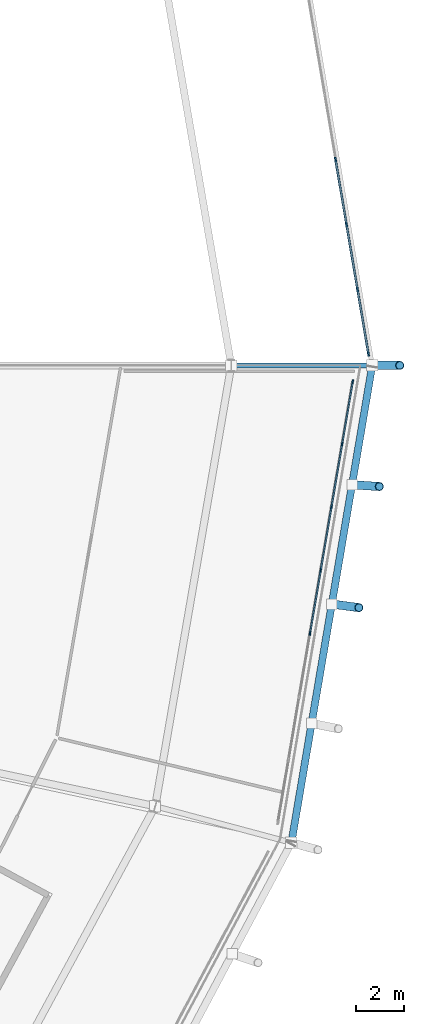
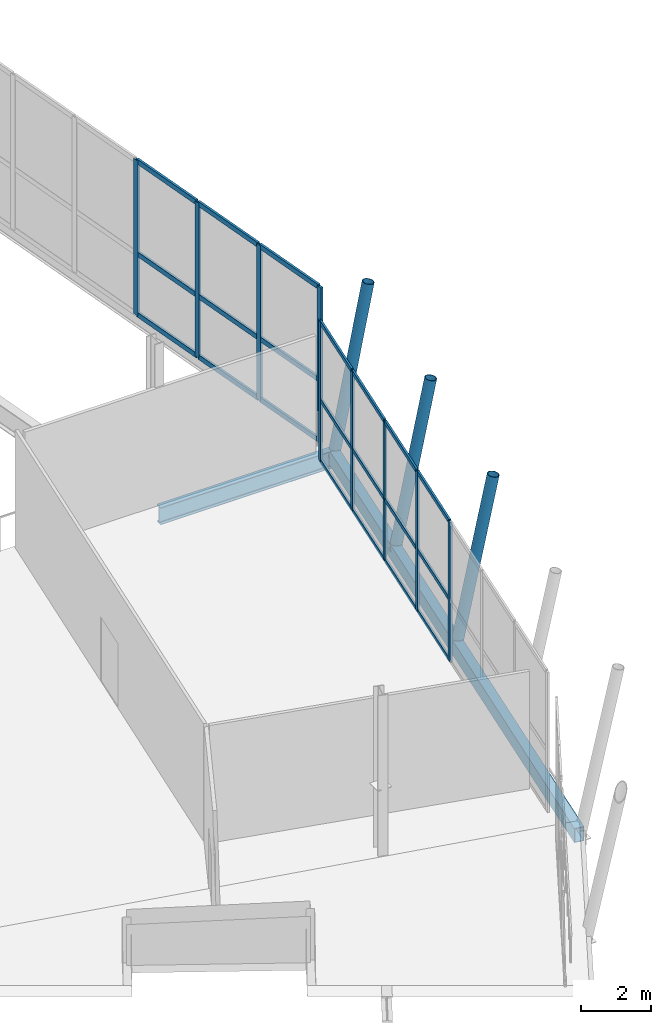
# One storey, part 42 of 99: 33 members, 2 beams, 2 elements without a shape of their own.
"""IFC4 building model written with IfcOpenShell, lengths in metres."""

import ifcopenshell
import ifcopenshell.guid

model = None  # the IFC model being written
_history = None  # IfcOwnerHistory: only IFC2X3 demands one
_inside = {}  # id of a spatial element -> (the spatial element, [elements in it])
_under = {}  # id of a project, library or spatial element -> (it, [spatial elements below it])
_declared = {}  # id of a project -> (the project, [libraries it declares])
_typed = {}  # id of a type object -> (the type object, [elements of that type])
_made_of = {}  # id of a material, layer set ... -> (it, [elements and type objects made of it])


def new_model(schema):
    """Start an empty IFC model of exactly this schema.

    Asked for "IFC4X3", IfcOpenShell would pick the latest addendum, in which some entities
    have other attributes; the version numbers below select the first issue.
    IFC2X3 requires an IfcOwnerHistory on every rooted entity: one is made here for all.
    """
    global model, _history
    if schema == "IFC4X3":
        model = ifcopenshell.file(schema_version=(4, 3, 0, 0))
    else:
        model = ifcopenshell.file(schema=schema)
    _inside.clear()
    _under.clear()
    _declared.clear()
    _typed.clear()
    _made_of.clear()
    _history = None
    if model.schema == "IFC2X3":
        org = make("IfcOrganization", Name="unknown")
        user = make(
            "IfcPersonAndOrganization",
            ThePerson=make("IfcPerson", FamilyName="unknown"),
            TheOrganization=org,
        )
        app = make(
            "IfcApplication",
            ApplicationDeveloper=org,
            Version="unknown",
            ApplicationFullName="unknown",
            ApplicationIdentifier="unknown",
        )
        _history = make(
            "IfcOwnerHistory",
            OwningUser=user,
            OwningApplication=app,
            ChangeAction="ADDED",
            CreationDate=0,
        )
    return model


def make(cls, **values):
    """One entity of the class cls with the attributes given. An attribute that is None is left unset."""
    return model.create_entity(
        cls, **{name: value for name, value in values.items() if value is not None}
    )


def rooted(cls, **values):
    """An entity with a GlobalId (a new one), such as an element, a storey or a relation."""
    return make(cls, GlobalId=ifcopenshell.guid.new(), OwnerHistory=_history, **values)


def si_unit(unit_type, name, prefix=None):
    """IfcSIUnit, for example si_unit("LENGTHUNIT", "METRE", prefix="MILLI")."""
    return make("IfcSIUnit", UnitType=unit_type, Prefix=prefix, Name=name)


def assignment(units):
    """IfcUnitAssignment: the units of a project."""
    return None if units is None else make("IfcUnitAssignment", Units=units)


def point(xyz):
    """IfcCartesianPoint."""
    return None if xyz is None else make("IfcCartesianPoint", Coordinates=xyz)


def direction(xyz):
    """IfcDirection."""
    return None if xyz is None else make("IfcDirection", DirectionRatios=xyz)


def frame(location, z_axis=None, x_axis=None):
    """IfcAxis2Placement3D, a coordinate frame: its origin and axes. An axis left out is left unset."""
    return make(
        "IfcAxis2Placement3D",
        Location=point(location),
        Axis=direction(z_axis),
        RefDirection=direction(x_axis),
    )


def frame_2d(location, x_axis=None):
    """IfcAxis2Placement2D, a coordinate frame in the plane: its origin and x axis."""
    return make(
        "IfcAxis2Placement2D", Location=point(location), RefDirection=direction(x_axis)
    )


def origin():
    """The frame at (0, 0, 0) with its axes left unset."""
    return frame((0.0, 0.0, 0.0))


def origin_2d():
    """The frame at (0, 0) in the plane with its x axis left unset."""
    return frame_2d((0.0, 0.0))


def place(relative_to, where):
    """IfcLocalPlacement: puts the frame where relative to a parent placement (None: the world)."""
    return make(
        "IfcLocalPlacement", PlacementRelTo=relative_to, RelativePlacement=where
    )


def context(
    kind, dimensions, precision=None, world=None, true_north=None, identifier=None
):
    """IfcGeometricRepresentationContext, for example the 3D "Model" context."""
    return make(
        "IfcGeometricRepresentationContext",
        ContextIdentifier=identifier,
        ContextType=kind,
        CoordinateSpaceDimension=dimensions,
        Precision=precision,
        WorldCoordinateSystem=world,
        TrueNorth=true_north,
    )


def subcontext(parent, identifier, kind, view, scale=None):
    """IfcGeometricRepresentationSubContext, for example "Body" below "Model"."""
    return make(
        "IfcGeometricRepresentationSubContext",
        ContextIdentifier=identifier,
        ContextType=kind,
        ParentContext=parent,
        TargetScale=scale,
        TargetView=view,
    )


def project(units=None, contexts=None):
    """IfcProject with its units and contexts."""
    return rooted(
        "IfcProject",
        Name="project",
        RepresentationContexts=contexts,
        UnitsInContext=assignment(units),
    )


def spatial(cls, under=None, at=None, **own):
    """A site, building, storey or space (cls), placed at a placement, below another one or the project."""
    s = rooted(cls, ObjectPlacement=at, **own)
    if under is not None:
        _under.setdefault(under.id(), (under, []))[1].append(s)
    return s


def profile(cls, at=None, kind="AREA", **sizes):
    """A parametric profile (cls). Its sizes go by their IFC names, for example OverallWidth=200.0."""
    return make(cls, ProfileType=kind, Position=at, **sizes)


def rectangle(**sizes):
    """IfcRectangleProfileDef."""
    return profile("IfcRectangleProfileDef", **sizes)


def hollow_rectangle(**sizes):
    """IfcRectangleHollowProfileDef."""
    return profile("IfcRectangleHollowProfileDef", **sizes)


def hollow_circle(**sizes):
    """IfcCircleHollowProfileDef."""
    return profile("IfcCircleHollowProfileDef", **sizes)


def i_section(**sizes):
    """IfcIShapeProfileDef."""
    return profile("IfcIShapeProfileDef", **sizes)


def extrude(swept, where, along, depth):
    """IfcExtrudedAreaSolid: the profile swept, set in the frame where, extruded along a direction by depth."""
    return make(
        "IfcExtrudedAreaSolid",
        SweptArea=swept,
        Position=where,
        ExtrudedDirection=direction(along),
        Depth=depth,
    )


def shape(context_of_items, identifier, shape_type, items):
    """IfcShapeRepresentation: the items that make up one representation, for example the "Body"."""
    return make(
        "IfcShapeRepresentation",
        ContextOfItems=context_of_items,
        RepresentationIdentifier=identifier,
        RepresentationType=shape_type,
        Items=items,
    )


def material(Name=None, Category=None):
    """IfcMaterial."""
    return make("IfcMaterial", Name=Name, Category=Category)


def material_profile(
    of_material, cross_section, Name=None, Category=None, Priority=None
):
    """IfcMaterialProfile: a cross section and its material."""
    return make(
        "IfcMaterialProfile",
        Name=Name,
        Material=of_material,
        Profile=cross_section,
        Priority=Priority,
        Category=Category,
    )


def profile_set(profiles, Name=None, composite=None):
    """IfcMaterialProfileSet."""
    return make(
        "IfcMaterialProfileSet",
        Name=Name,
        MaterialProfiles=profiles,
        CompositeProfile=composite,
    )


def made_of(thing, what):
    """Note that an element or type object is made of a material, layer set ...; save() writes the relation."""
    if what is not None:
        _made_of.setdefault(what.id(), (what, []))[1].append(thing)
    return thing


def type_object(cls, material=None, **own):
    """A type object (cls), such as IfcWallType, which elements share."""
    return made_of(rooted(cls, **own), material)


def element(
    cls,
    number,
    at=None,
    inside=None,
    cuts=None,
    type_object=None,
    material=None,
    context=None,
    identifier="Body",
    shape_type=None,
    held_by="IfcProductDefinitionShape",
    body=None,
    shapes=None,
    **own,
):
    """One element of the class cls, such as IfcWall. Its Tag is "e" and its number.

    at: its placement. inside: the storey or other place that contains it. cuts: it is an
    opening in that element (IfcRelVoidsElement). A single representation is given by context,
    identifier, shape_type and body (its items); several are given by shapes. held_by: the class
    of the entity that holds the representations. save() writes the other relations.
    """
    e = rooted(cls, Tag="e%d" % number, ObjectPlacement=at, **own)
    if body is not None:
        shapes = [shape(context, identifier, shape_type, body)]
    if shapes is not None:
        e.Representation = make(held_by, Representations=shapes)
    if inside is not None:
        _inside.setdefault(inside.id(), (inside, []))[1].append(e)
    if cuts is not None:
        rooted(
            "IfcRelVoidsElement", RelatingBuildingElement=cuts, RelatedOpeningElement=e
        )
    if type_object is not None:
        _typed.setdefault(type_object.id(), (type_object, []))[1].append(e)
    return made_of(e, material)


def aggregate(whole, parts):
    """IfcRelAggregates: a whole, such as a stair, and the parts it consists of."""
    return rooted("IfcRelAggregates", RelatingObject=whole, RelatedObjects=parts)


def save(model, path):
    """Write the relations noted so far, then the file.

    IfcRelAggregates (storeys below a building ...), IfcRelContainedInSpatialStructure (elements
    in a storey), IfcRelDefinesByType, IfcRelAssociatesMaterial and IfcRelDeclares: one each for
    every whole, place, type object, material and project.
    """
    for whole, parts in _under.values():
        aggregate(whole, parts)
    for where, things in _inside.values():
        rooted(
            "IfcRelContainedInSpatialStructure",
            RelatedElements=things,
            RelatingStructure=where,
        )
    for kind, things in _typed.values():
        rooted("IfcRelDefinesByType", RelatedObjects=things, RelatingType=kind)
    for what, things in _made_of.values():
        rooted("IfcRelAssociatesMaterial", RelatedObjects=things, RelatingMaterial=what)
    for by, libraries in _declared.values():
        rooted("IfcRelDeclares", RelatingContext=by, RelatedDefinitions=libraries)
    model.write(path)


model = new_model("IFC4")

# Units and contexts
model_context = context("Model", 3, precision=1e-05, world=origin(), true_north=direction((0.0, 1.0)))
body_context = subcontext(model_context, "Body", "Model", "MODEL_VIEW")
ifc_project = project(units=[si_unit("LENGTHUNIT", "METRE"), si_unit("AREAUNIT", "SQUARE_METRE"), si_unit("VOLUMEUNIT", "CUBIC_METRE"), si_unit("PLANEANGLEUNIT", "RADIAN"), si_unit("MASSUNIT", "GRAM", prefix="KILO")], contexts=[model_context])

# Site, building, storey
site_placement = place(None, origin())
site = spatial("IfcSite", under=ifc_project, at=site_placement, CompositionType="ELEMENT")
building_placement = place(site_placement, origin())
building = spatial("IfcBuilding", under=site, at=building_placement, Name="Zlatoyarsky Gate Stadium", CompositionType="ELEMENT")
storey_placement = place(building_placement, frame((0.0, 0.0, 26.199951171875)))
storey = spatial("IfcBuildingStorey", under=building, at=storey_placement, Name="L05", CompositionType="ELEMENT", Elevation=26.199951171875)

# Curtain wall, members
ifc_material_1 = material(Name="Thermally broken anodised aluminium curtain wall", Category="aluminium")
curtain_wall_type_1 = type_object("IfcCurtainWallType", Name="MONUMENTAL ARCHED GATE GLAZING UPPER", PredefinedType="USERDEFINED", material=ifc_material_1)
curtain_wall_1_placement = place(storey_placement, origin())
curtain_wall_1 = element("IfcCurtainWall", 1, at=curtain_wall_1_placement, inside=storey, type_object=curtain_wall_type_1, Name="Curtain wall CW-L05-00", ObjectType="ARCHED GATE GLAZING", PredefinedType="USERDEFINED")
ifc_material_2 = material(Name="Anodised aluminium 6063-T6", Category="aluminium")
ifc_material_profile_1 = material_profile(ifc_material_2, rectangle(XDim=0.074951171875, YDim=0.18994140625, at=origin_2d()), Name="ALU 75X190")
ifc_profile_set_1 = profile_set([ifc_material_profile_1], Name="Anodised aluminium 6063-T6")
member_type_1 = type_object("IfcMemberType", Name="ALUMINIUM GATE MULLION 75X190", PredefinedType="MULLION", material=ifc_profile_set_1)
member_1_placement = place(storey_placement, frame((209.716796875, 80.480712890625, -0.260009765625), z_axis=(0.0, 0.0, 1.0), x_axis=(-0.985957733522, -0.166995052945, 0.0)))
member_1 = element("IfcMember", 2, at=member_1_placement, type_object=member_type_1, Name="CW-AG2 mullion 1", PredefinedType="MULLION", context=body_context, shape_type="SweptSolid", body=[
    extrude(rectangle(XDim=0.074951171875, YDim=0.18994140625, at=origin_2d()), origin(), (0.0, 0.0, 1.0), 5.41015625),
])
member_2_placement = place(storey_placement, frame((209.263427734375, 83.156494140625, -0.260009765625), z_axis=(0.0, 0.0, 1.0), x_axis=(-0.985957733522, -0.166995052945, 0.0)))
member_2 = element("IfcMember", 3, at=member_2_placement, type_object=member_type_1, Name="CW-AG2 mullion 2", PredefinedType="MULLION", context=body_context, shape_type="SweptSolid", body=[
    extrude(rectangle(XDim=0.074951171875, YDim=0.18994140625, at=origin_2d()), origin(), (0.0, 0.0, 1.0), 5.41015625),
])
member_3_placement = place(storey_placement, frame((208.803955078125, 85.869140625, -0.260009765625), z_axis=(0.0, 0.0, 1.0), x_axis=(-0.985957733522, -0.166995052945, 0.0)))
member_3 = element("IfcMember", 4, at=member_3_placement, type_object=member_type_1, Name="CW-AG2 mullion 3", PredefinedType="MULLION", context=body_context, shape_type="SweptSolid", body=[
    extrude(rectangle(XDim=0.074951171875, YDim=0.18994140625, at=origin_2d()), origin(), (0.0, 0.0, 1.0), 5.41015625),
])
member_4_placement = place(storey_placement, frame((208.344482421875, 88.58203125, -0.260009765625), z_axis=(0.0, 0.0, 1.0), x_axis=(-0.985957733522, -0.166995052945, 0.0)))
member_4 = element("IfcMember", 5, at=member_4_placement, type_object=member_type_1, Name="CW-AG2 mullion 4", PredefinedType="MULLION", context=body_context, shape_type="SweptSolid", body=[
    extrude(rectangle(XDim=0.074951171875, YDim=0.18994140625, at=origin_2d()), origin(), (0.0, 0.0, 1.0), 5.41015625),
])
ifc_material_profile_2 = material_profile(ifc_material_2, rectangle(XDim=0.074951171875, YDim=0.169921875, at=origin_2d()), Name="ALU 75X170")
ifc_profile_set_2 = profile_set([ifc_material_profile_2], Name="Anodised aluminium 6063-T6")
member_type_2 = type_object("IfcMemberType", Name="ALUMINIUM GATE TRANSOM 75X170", PredefinedType="USERDEFINED", material=ifc_profile_set_2)
member_5_placement = place(storey_placement, frame((209.71044921875, 80.517578125, -0.222412109375), z_axis=(-0.166993906311, 0.985957927731, 0.0), x_axis=(-0.985957927731, -0.166993906311, 0.0)))
member_5 = element("IfcMember", 6, at=member_5_placement, type_object=member_type_2, Name="CW-AG2 transom 1.1", ObjectType="TRANSOM", PredefinedType="USERDEFINED", context=body_context, shape_type="SweptSolid", body=[
    extrude(rectangle(XDim=0.074951171875, YDim=0.169921875, at=origin_2d()), origin(), (0.0, 0.0, 1.0), 2.638916015625),
])
member_6_placement = place(storey_placement, frame((209.71044921875, 80.517578125, 1.89013671875), z_axis=(-0.166993906311, 0.985957927731, 0.0), x_axis=(-0.985957927731, -0.166993906311, 0.0)))
member_6 = element("IfcMember", 7, at=member_6_placement, type_object=member_type_2, Name="CW-AG2 transom 1.2", ObjectType="TRANSOM", PredefinedType="USERDEFINED", context=body_context, shape_type="SweptSolid", body=[
    extrude(rectangle(XDim=0.074951171875, YDim=0.169921875, at=origin_2d()), origin(), (0.0, 0.0, 1.0), 2.638916015625),
])
member_7_placement = place(storey_placement, frame((209.71044921875, 80.517578125, 5.112548828125), z_axis=(-0.166993906311, 0.985957927731, 0.0), x_axis=(-0.985957927731, -0.166993906311, 0.0)))
member_7 = element("IfcMember", 8, at=member_7_placement, type_object=member_type_2, Name="CW-AG2 transom 1.3", ObjectType="TRANSOM", PredefinedType="USERDEFINED", context=body_context, shape_type="SweptSolid", body=[
    extrude(rectangle(XDim=0.074951171875, YDim=0.169921875, at=origin_2d()), origin(), (0.0, 0.0, 1.0), 2.638916015625),
])
member_8_placement = place(storey_placement, frame((209.25732421875, 83.193359375, -0.222412109375), z_axis=(-0.167016554853, 0.985954091429, 0.0), x_axis=(-0.985954091429, -0.167016554853, 0.0)))
member_8 = element("IfcMember", 9, at=member_8_placement, type_object=member_type_2, Name="CW-AG2 transom 2.1", ObjectType="TRANSOM", PredefinedType="USERDEFINED", context=body_context, shape_type="SweptSolid", body=[
    extrude(rectangle(XDim=0.074951171875, YDim=0.169921875, at=origin_2d()), origin(), (0.0, 0.0, 1.0), 2.676513671875),
])
member_9_placement = place(storey_placement, frame((209.25732421875, 83.193359375, 1.89013671875), z_axis=(-0.167016554853, 0.985954091429, 0.0), x_axis=(-0.985954091429, -0.167016554853, 0.0)))
member_9 = element("IfcMember", 10, at=member_9_placement, type_object=member_type_2, Name="CW-AG2 transom 2.2", ObjectType="TRANSOM", PredefinedType="USERDEFINED", context=body_context, shape_type="SweptSolid", body=[
    extrude(rectangle(XDim=0.074951171875, YDim=0.169921875, at=origin_2d()), origin(), (0.0, 0.0, 1.0), 2.676513671875),
])
member_10_placement = place(storey_placement, frame((209.25732421875, 83.193359375, 5.112548828125), z_axis=(-0.167016554853, 0.985954091429, 0.0), x_axis=(-0.985954091429, -0.167016554853, 0.0)))
member_10 = element("IfcMember", 11, at=member_10_placement, type_object=member_type_2, Name="CW-AG2 transom 2.3", ObjectType="TRANSOM", PredefinedType="USERDEFINED", context=body_context, shape_type="SweptSolid", body=[
    extrude(rectangle(XDim=0.074951171875, YDim=0.169921875, at=origin_2d()), origin(), (0.0, 0.0, 1.0), 2.676513671875),
])
member_11_placement = place(storey_placement, frame((208.7978515625, 85.90625, -0.222412109375), z_axis=(-0.167031576788, 0.985951546657, 0.0), x_axis=(-0.985951546657, -0.167031576788, 0.0)))
member_11 = element("IfcMember", 12, at=member_11_placement, type_object=member_type_2, Name="CW-AG2 transom 3.1", ObjectType="TRANSOM", PredefinedType="USERDEFINED", context=body_context, shape_type="SweptSolid", body=[
    extrude(rectangle(XDim=0.074951171875, YDim=0.169921875, at=origin_2d()), origin(), (0.0, 0.0, 1.0), 2.67626953125),
])
member_12_placement = place(storey_placement, frame((208.7978515625, 85.90625, 1.89013671875), z_axis=(-0.167031576788, 0.985951546657, 0.0), x_axis=(-0.985951546657, -0.167031576788, 0.0)))
member_12 = element("IfcMember", 13, at=member_12_placement, type_object=member_type_2, Name="CW-AG2 transom 3.2", ObjectType="TRANSOM", PredefinedType="USERDEFINED", context=body_context, shape_type="SweptSolid", body=[
    extrude(rectangle(XDim=0.074951171875, YDim=0.169921875, at=origin_2d()), origin(), (0.0, 0.0, 1.0), 2.67626953125),
])
member_13_placement = place(storey_placement, frame((208.7978515625, 85.90625, 5.112548828125), z_axis=(-0.167031576788, 0.985951546657, 0.0), x_axis=(-0.985951546657, -0.167031576788, 0.0)))
member_13 = element("IfcMember", 14, at=member_13_placement, type_object=member_type_2, Name="CW-AG2 transom 3.3", ObjectType="TRANSOM", PredefinedType="USERDEFINED", context=body_context, shape_type="SweptSolid", body=[
    extrude(rectangle(XDim=0.074951171875, YDim=0.169921875, at=origin_2d()), origin(), (0.0, 0.0, 1.0), 2.67626953125),
])
aggregate(curtain_wall_1, [member_1, member_2, member_3, member_4, member_5, member_6, member_7, member_8, member_9, member_10, member_11, member_12, member_13])

curtain_wall_type_2 = type_object("IfcCurtainWallType", Name="UNITISED SKYBOX RING GLAZING L05", PredefinedType="USERDEFINED", material=ifc_material_1)
curtain_wall_2_placement = place(storey_placement, origin())
curtain_wall_2 = element("IfcCurtainWall", 15, at=curtain_wall_2_placement, inside=storey, type_object=curtain_wall_type_2, Name="Curtain wall CW-L05-23", ObjectType="UNITISED GLAZING", PredefinedType="USERDEFINED")
ifc_material_profile_3 = material_profile(ifc_material_2, rectangle(XDim=0.06494140625, YDim=0.159912109375, at=origin_2d()), Name="ALU 65X160")
ifc_profile_set_3 = profile_set([ifc_material_profile_3], Name="Anodised aluminium 6063-T6")
member_type_3 = type_object("IfcMemberType", Name="ALUMINIUM MULLION 65X160", PredefinedType="MULLION", material=ifc_profile_set_3)
member_14_placement = place(storey_placement, frame((207.281982421875, 68.8251953125, 0.0), z_axis=(0.0, 0.0, 1.0), x_axis=(-0.985908807049, 0.167283663824, 0.0)))
member_14 = element("IfcMember", 16, at=member_14_placement, type_object=member_type_3, Name="CW-UG5 mullion 4", PredefinedType="MULLION", context=body_context, shape_type="SweptSolid", body=[
    extrude(rectangle(XDim=0.06494140625, YDim=0.159912109375, at=origin_2d()), origin(), (0.0, 0.0, 1.0), 4.880126953125),
])
member_15_placement = place(storey_placement, frame((207.728759765625, 71.45849609375, 0.0), z_axis=(0.0, 0.0, 1.0), x_axis=(-0.985908807049, 0.167283663824, 0.0)))
member_15 = element("IfcMember", 17, at=member_15_placement, type_object=member_type_3, Name="CW-UG5 mullion 5", PredefinedType="MULLION", context=body_context, shape_type="SweptSolid", body=[
    extrude(rectangle(XDim=0.06494140625, YDim=0.159912109375, at=origin_2d()), origin(), (0.0, 0.0, 1.0), 4.880126953125),
])
member_16_placement = place(storey_placement, frame((208.17578125, 74.092041015625, 0.0), z_axis=(0.0, 0.0, 1.0), x_axis=(-0.985908807049, 0.167283663824, 0.0)))
member_16 = element("IfcMember", 18, at=member_16_placement, type_object=member_type_3, Name="CW-UG5 mullion 6", PredefinedType="MULLION", context=body_context, shape_type="SweptSolid", body=[
    extrude(rectangle(XDim=0.06494140625, YDim=0.159912109375, at=origin_2d()), origin(), (0.0, 0.0, 1.0), 4.880126953125),
])
member_17_placement = place(storey_placement, frame((208.62255859375, 76.7255859375, 0.0), z_axis=(0.0, 0.0, 1.0), x_axis=(-0.985908807049, 0.167283663824, 0.0)))
member_17 = element("IfcMember", 19, at=member_17_placement, type_object=member_type_3, Name="CW-UG5 mullion 7", PredefinedType="MULLION", context=body_context, shape_type="SweptSolid", body=[
    extrude(rectangle(XDim=0.06494140625, YDim=0.159912109375, at=origin_2d()), origin(), (0.0, 0.0, 1.0), 4.880126953125),
])
member_18_placement = place(storey_placement, frame((209.06396484375, 79.3271484375, 0.0), z_axis=(0.0, 0.0, 1.0), x_axis=(-0.985908807049, 0.167283663824, 0.0)))
member_18 = element("IfcMember", 20, at=member_18_placement, type_object=member_type_3, Name="CW-UG5 mullion 8", PredefinedType="MULLION", context=body_context, shape_type="SweptSolid", body=[
    extrude(rectangle(XDim=0.06494140625, YDim=0.159912109375, at=origin_2d()), origin(), (0.0, 0.0, 1.0), 4.880126953125),
])
ifc_material_profile_4 = material_profile(ifc_material_2, rectangle(XDim=0.06494140625, YDim=0.139892578125, at=origin_2d()), Name="ALU 65X140")
ifc_profile_set_4 = profile_set([ifc_material_profile_4], Name="Anodised aluminium 6063-T6")
member_type_4 = type_object("IfcMemberType", Name="ALUMINIUM TRANSOM 65X140", PredefinedType="USERDEFINED", material=ifc_profile_set_4)
member_19_placement = place(storey_placement, frame((207.287353515625, 68.857177734375, 0.032470703125), z_axis=(0.167315052867, 0.985903480613, 0.0), x_axis=(-0.985903480613, 0.167315052867, 0.0)))
member_19 = element("IfcMember", 21, at=member_19_placement, type_object=member_type_4, Name="CW-UG5 transom 4.1", ObjectType="TRANSOM", PredefinedType="USERDEFINED", context=body_context, shape_type="SweptSolid", body=[
    extrude(rectangle(XDim=0.06494140625, YDim=0.139892578125, at=origin_2d()), origin(), (0.0, 0.0, 1.0), 2.60595703125),
])
member_20_placement = place(storey_placement, frame((207.287353515625, 68.857177734375, 2.150146484375), z_axis=(0.167315052867, 0.985903480613, 0.0), x_axis=(-0.985903480613, 0.167315052867, 0.0)))
member_20 = element("IfcMember", 22, at=member_20_placement, type_object=member_type_4, Name="CW-UG5 transom 4.2", ObjectType="TRANSOM", PredefinedType="USERDEFINED", context=body_context, shape_type="SweptSolid", body=[
    extrude(rectangle(XDim=0.06494140625, YDim=0.139892578125, at=origin_2d()), origin(), (0.0, 0.0, 1.0), 2.60595703125),
])
member_21_placement = place(storey_placement, frame((207.287353515625, 68.857177734375, 4.84765625), z_axis=(0.167315052867, 0.985903480613, 0.0), x_axis=(-0.985903480613, 0.167315052867, 0.0)))
member_21 = element("IfcMember", 23, at=member_21_placement, type_object=member_type_4, Name="CW-UG5 transom 4.3", ObjectType="TRANSOM", PredefinedType="USERDEFINED", context=body_context, shape_type="SweptSolid", body=[
    extrude(rectangle(XDim=0.06494140625, YDim=0.139892578125, at=origin_2d()), origin(), (0.0, 0.0, 1.0), 2.60595703125),
])
member_22_placement = place(storey_placement, frame((207.734375, 71.49072265625, 0.032470703125), z_axis=(0.167223991835, 0.985918930011, 0.0), x_axis=(-0.985918930011, 0.167223991835, 0.0)))
member_22 = element("IfcMember", 24, at=member_22_placement, type_object=member_type_4, Name="CW-UG5 transom 5.1", ObjectType="TRANSOM", PredefinedType="USERDEFINED", context=body_context, shape_type="SweptSolid", body=[
    extrude(rectangle(XDim=0.06494140625, YDim=0.139892578125, at=origin_2d()), origin(), (0.0, 0.0, 1.0), 2.60595703125),
])
member_23_placement = place(storey_placement, frame((207.734375, 71.49072265625, 2.150146484375), z_axis=(0.167223991835, 0.985918930011, 0.0), x_axis=(-0.985918930011, 0.167223991835, 0.0)))
member_23 = element("IfcMember", 25, at=member_23_placement, type_object=member_type_4, Name="CW-UG5 transom 5.2", ObjectType="TRANSOM", PredefinedType="USERDEFINED", context=body_context, shape_type="SweptSolid", body=[
    extrude(rectangle(XDim=0.06494140625, YDim=0.139892578125, at=origin_2d()), origin(), (0.0, 0.0, 1.0), 2.60595703125),
])
member_24_placement = place(storey_placement, frame((207.734375, 71.49072265625, 4.84765625), z_axis=(0.167223991835, 0.985918930011, 0.0), x_axis=(-0.985918930011, 0.167223991835, 0.0)))
member_24 = element("IfcMember", 26, at=member_24_placement, type_object=member_type_4, Name="CW-UG5 transom 5.3", ObjectType="TRANSOM", PredefinedType="USERDEFINED", context=body_context, shape_type="SweptSolid", body=[
    extrude(rectangle(XDim=0.06494140625, YDim=0.139892578125, at=origin_2d()), origin(), (0.0, 0.0, 1.0), 2.60595703125),
])
member_25_placement = place(storey_placement, frame((208.18115234375, 74.124267578125, 0.032470703125), z_axis=(0.167315052867, 0.985903480613, 0.0), x_axis=(-0.985903480613, 0.167315052867, 0.0)))
member_25 = element("IfcMember", 27, at=member_25_placement, type_object=member_type_4, Name="CW-UG5 transom 6.1", ObjectType="TRANSOM", PredefinedType="USERDEFINED", context=body_context, shape_type="SweptSolid", body=[
    extrude(rectangle(XDim=0.06494140625, YDim=0.139892578125, at=origin_2d()), origin(), (0.0, 0.0, 1.0), 2.60595703125),
])
member_26_placement = place(storey_placement, frame((208.18115234375, 74.124267578125, 2.150146484375), z_axis=(0.167315052867, 0.985903480613, 0.0), x_axis=(-0.985903480613, 0.167315052867, 0.0)))
member_26 = element("IfcMember", 28, at=member_26_placement, type_object=member_type_4, Name="CW-UG5 transom 6.2", ObjectType="TRANSOM", PredefinedType="USERDEFINED", context=body_context, shape_type="SweptSolid", body=[
    extrude(rectangle(XDim=0.06494140625, YDim=0.139892578125, at=origin_2d()), origin(), (0.0, 0.0, 1.0), 2.60595703125),
])
member_27_placement = place(storey_placement, frame((208.18115234375, 74.124267578125, 4.84765625), z_axis=(0.167315052867, 0.985903480613, 0.0), x_axis=(-0.985903480613, 0.167315052867, 0.0)))
member_27 = element("IfcMember", 29, at=member_27_placement, type_object=member_type_4, Name="CW-UG5 transom 6.3", ObjectType="TRANSOM", PredefinedType="USERDEFINED", context=body_context, shape_type="SweptSolid", body=[
    extrude(rectangle(XDim=0.06494140625, YDim=0.139892578125, at=origin_2d()), origin(), (0.0, 0.0, 1.0), 2.60595703125),
])
member_28_placement = place(storey_placement, frame((208.6279296875, 76.7578125, 0.032470703125), z_axis=(0.167336413432, 0.98589985533, 0.0), x_axis=(-0.98589985533, 0.167336413432, 0.0)))
member_28 = element("IfcMember", 30, at=member_28_placement, type_object=member_type_4, Name="CW-UG5 transom 7.1", ObjectType="TRANSOM", PredefinedType="USERDEFINED", context=body_context, shape_type="SweptSolid", body=[
    extrude(rectangle(XDim=0.06494140625, YDim=0.139892578125, at=origin_2d()), origin(), (0.0, 0.0, 1.0), 2.57373046875),
])
member_29_placement = place(storey_placement, frame((208.6279296875, 76.7578125, 2.150146484375), z_axis=(0.167336413432, 0.98589985533, 0.0), x_axis=(-0.98589985533, 0.167336413432, 0.0)))
member_29 = element("IfcMember", 31, at=member_29_placement, type_object=member_type_4, Name="CW-UG5 transom 7.2", ObjectType="TRANSOM", PredefinedType="USERDEFINED", context=body_context, shape_type="SweptSolid", body=[
    extrude(rectangle(XDim=0.06494140625, YDim=0.139892578125, at=origin_2d()), origin(), (0.0, 0.0, 1.0), 2.57373046875),
])
member_30_placement = place(storey_placement, frame((208.6279296875, 76.7578125, 4.84765625), z_axis=(0.167336413432, 0.98589985533, 0.0), x_axis=(-0.98589985533, 0.167336413432, 0.0)))
member_30 = element("IfcMember", 32, at=member_30_placement, type_object=member_type_4, Name="CW-UG5 transom 7.3", ObjectType="TRANSOM", PredefinedType="USERDEFINED", context=body_context, shape_type="SweptSolid", body=[
    extrude(rectangle(XDim=0.06494140625, YDim=0.139892578125, at=origin_2d()), origin(), (0.0, 0.0, 1.0), 2.57373046875),
])
aggregate(curtain_wall_2, [member_14, member_15, member_16, member_17, member_18, member_19, member_20, member_21, member_22, member_23, member_24, member_25, member_26, member_27, member_28, member_29, member_30])

# Beam
ifc_material_3 = material(Name="Steel S355", Category="steel")
ifc_material_profile_5 = material_profile(ifc_material_3, i_section(OverallWidth=0.219970703125, OverallDepth=0.60009765625, WebThickness=0.011962890625, FlangeThickness=0.01904296875, FilletRadius=0.02392578125, at=origin_2d()), Name="IPE 600")
ifc_profile_set_5 = profile_set([ifc_material_profile_5], Name="Steel S355")
beam_type_1 = type_object("IfcBeamType", Name="STEEL CANTILEVER FLOOR BEAM IPE 600", PredefinedType="BEAM", material=ifc_profile_set_5)
beam_1_placement = place(storey_placement, frame((204.1201171875, 80.0, -0.56005859375), z_axis=(1.0, 0.0, 0.0), x_axis=(0.0, 1.0, 0.0)))
element("IfcBeam", 33, at=beam_1_placement, inside=storey, type_object=beam_type_1, Name="Beam B-IPE600 BM-L05-OUT-00", PredefinedType="BEAM", context=body_context, shape_type="SweptSolid", body=[
    extrude(i_section(OverallWidth=0.219970703125, OverallDepth=0.60009765625, WebThickness=0.011962890625, FlangeThickness=0.01904296875, FilletRadius=0.02392578125, at=origin_2d()), origin(), (0.0, 0.0, 1.0), 5.758056640625),
])

# Members
ifc_material_profile_6 = material_profile(ifc_material_3, hollow_circle(Radius=0.177734375, WallThickness=0.02001953125, at=origin_2d()), Name="CHS 355.6X20")
ifc_profile_set_6 = profile_set([ifc_material_profile_6], Name="Steel S355")
member_type_5 = type_object("IfcMemberType", Name="STEEL LEANING RIB RING STRUT CHS 355.6X20", PredefinedType="STRUT", material=ifc_profile_set_6)
member_31_placement = place(storey_placement, frame((209.878173828125, 80.0, -0.56005859375), z_axis=(0.197333114492, 0.0, 0.980336494233), x_axis=(0.0, 1.0, 0.0)))
element("IfcMember", 34, at=member_31_placement, inside=storey, type_object=member_type_5, Name="Upper leaning rib ring strut 00", PredefinedType="STRUT", context=body_context, shape_type="SweptSolid", body=[
    extrude(hollow_circle(Radius=0.177734375, WallThickness=0.02001953125, at=origin_2d()), origin(), (0.0, 0.0, 1.0), 5.82470703125),
])
member_32_placement = place(storey_placement, frame((208.193603515625, 70.05126953125, -0.510009765625), z_axis=(0.195693292816, -0.025751342983, 0.980326988041), x_axis=(0.130465595899, 0.991452837147, 0.0)))
element("IfcMember", 35, at=member_32_placement, inside=storey, type_object=member_type_5, Name="Outward-leaning bowl louvre fin rib L05 23-2", PredefinedType="STRUT", context=body_context, shape_type="SweptSolid", body=[
    extrude(hollow_circle(Radius=0.177734375, WallThickness=0.02001953125, at=origin_2d()), origin(), (0.0, 0.0, 1.0), 5.773681640625),
])
member_33_placement = place(storey_placement, frame((209.035888671875, 75.025634765625, -0.510009765625), z_axis=(0.197368095817, -0.012895730339, 0.980244630127), x_axis=(0.065199450922, 0.997872252144, 0.0)))
element("IfcMember", 36, at=member_33_placement, inside=storey, type_object=member_type_5, Name="Outward-leaning bowl louvre fin rib L05 23-3", PredefinedType="STRUT", context=body_context, shape_type="SweptSolid", body=[
    extrude(hollow_circle(Radius=0.177734375, WallThickness=0.02001953125, at=origin_2d()), origin(), (0.0, 0.0, 1.0), 5.774169921875),
])

# Beam
ifc_material_profile_7 = material_profile(ifc_material_3, hollow_rectangle(XDim=0.300048828125, YDim=0.5, WallThickness=0.02001953125, at=origin_2d()), Name="RHS 500X300X20")
ifc_profile_set_7 = profile_set([ifc_material_profile_7], Name="Steel S355")
beam_type_2 = type_object("IfcBeamType", Name="STEEL LOUVRE CARRIER SPANDREL RHS 500X300X20", PredefinedType="SPANDREL", material=ifc_profile_set_7)
beam_2_placement = place(storey_placement, frame((206.51220703125, 60.122314453125, -0.510009765625), z_axis=(0.166953846626, 0.985964711892, 0.0), x_axis=(-0.985964711892, 0.166953846626, 0.0)))
element("IfcBeam", 37, at=beam_2_placement, inside=storey, type_object=beam_type_2, Name="Beam SP-RHS500 BM-L05-SPD-23", PredefinedType="SPANDREL", context=body_context, shape_type="SweptSolid", body=[
    extrude(hollow_rectangle(XDim=0.300048828125, YDim=0.5, WallThickness=0.02001953125, at=origin_2d()), origin(), (0.0, 0.0, 1.0), 20.140625),
])

save(model, "model.ifc")
